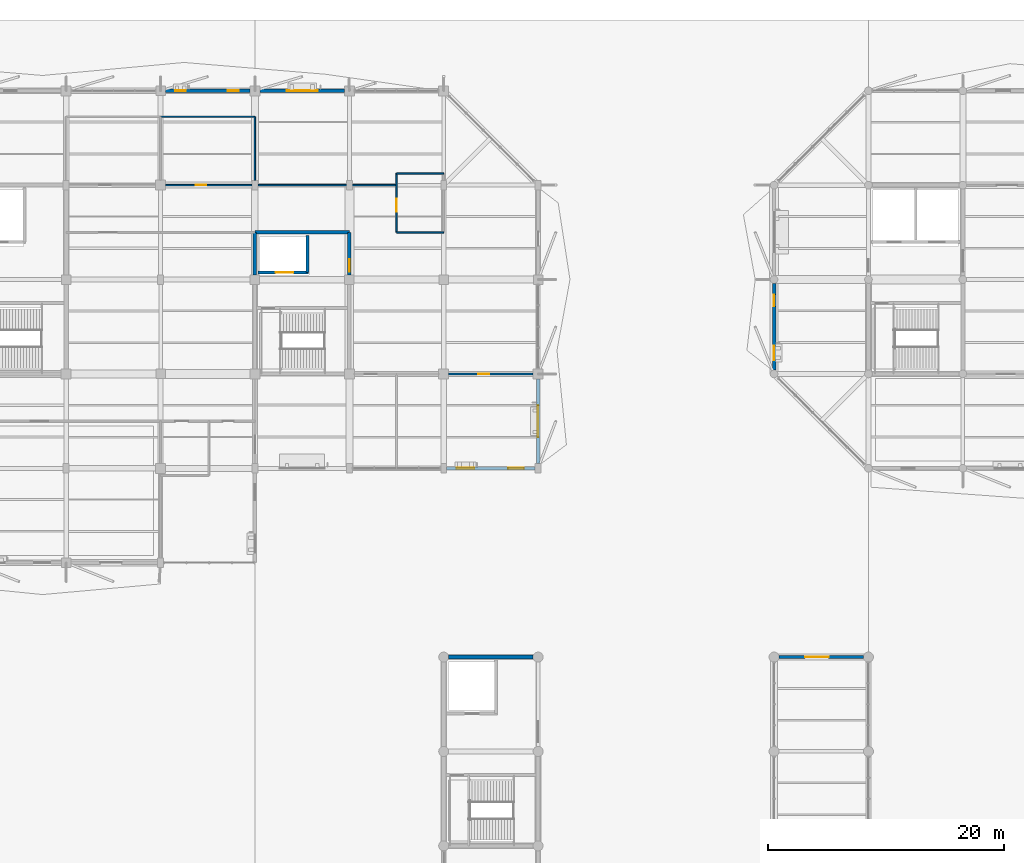
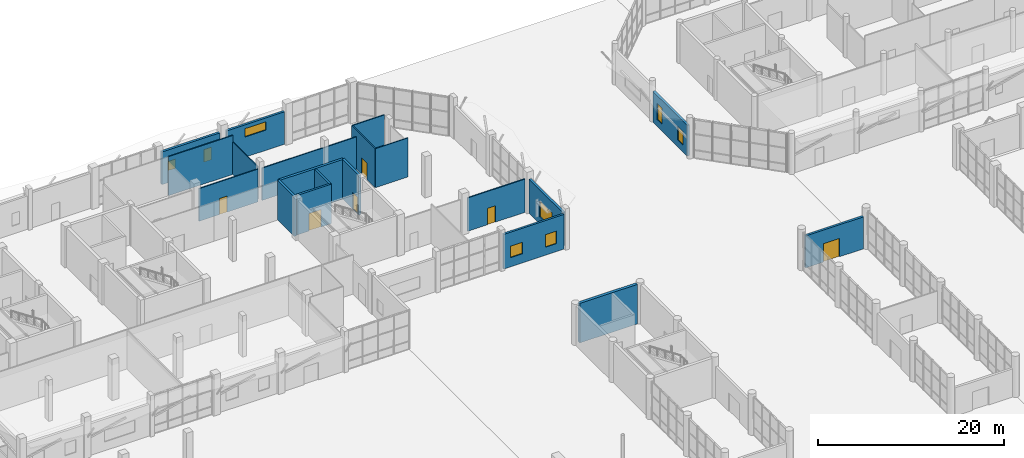
# One storey, part 101 of 123: 20 walls, 8 windows, 6 doors, 14 openings.
"""IFC4 building model written with IfcOpenShell, lengths in metres."""

from ifc_helpers import new_model, si_unit, direction, frame, frame_2d, origin, place, context, subcontext, project, spatial, rectangle, extrude, material, layer, layer_set, type_object, element, fill, save


model = new_model("IFC4")

# Units and contexts
model_context = context("Model", 3, precision=1e-05, world=origin(), true_north=direction((0.0, 1.0)))
body_context = subcontext(model_context, "Body", "Model", "MODEL_VIEW")
ifc_project = project(units=[si_unit("LENGTHUNIT", "METRE"), si_unit("AREAUNIT", "SQUARE_METRE"), si_unit("VOLUMEUNIT", "CUBIC_METRE"), si_unit("PLANEANGLEUNIT", "RADIAN"), si_unit("MASSUNIT", "GRAM", prefix="KILO")], contexts=[model_context])

# Site, building, storey
site_placement = place(None, origin())
site = spatial("IfcSite", under=ifc_project, at=site_placement, CompositionType="ELEMENT")
building_placement = place(site_placement, origin())
building = spatial("IfcBuilding", under=site, at=building_placement, Name="Tenunan Teduh Sports Hall", CompositionType="ELEMENT")
storey_placement = place(building_placement, origin())
storey = spatial("IfcBuildingStorey", under=building, at=storey_placement, Name="L00", CompositionType="ELEMENT", Elevation=0.0)

# Wall, opening, door
ifc_material_1 = material(Name="Concrete C40/50", Category="concrete")
ifc_layer_1 = layer(ifc_material_1, 0.25)
ifc_layer_set_1 = layer_set([ifc_layer_1], Name="Concrete C40/50")
wall_type_1 = type_object("IfcWallType", Name="WL-COR-250", PredefinedType="SOLIDWALL", material=ifc_layer_set_1)
wall_1_placement = place(storey_placement, frame((54.25, 102.60009765625, 0.0), z_axis=(0.0, 0.0, 1.0), x_axis=(1.0, 0.0, 0.0)))
wall_1 = element("IfcWall", 1, at=wall_1_placement, inside=storey, type_object=wall_type_1, Name="WL-COR-L00-125", PredefinedType="SOLIDWALL", context=body_context, shape_type="SweptSolid", body=[
    extrude(rectangle(XDim=4.300048828125, YDim=0.25, at=frame_2d((2.14990234375, 0.0))), origin(), (0.0, 0.0, 1.0), 5.179931640625),
])
opening_1_placement = place(wall_1_placement, frame((1.5, 0.0, 0.0)))
opening_1 = element("IfcOpeningElement", 2, at=opening_1_placement, cuts=wall_1, Name="Opening LD-3", PredefinedType="OPENING", context=body_context, shape_type="SweptSolid", body=[
    extrude(rectangle(XDim=1.5, YDim=2.300048828125, at=frame_2d((0.75, 1.14990234375))), frame((0.0, 0.135009765625, 0.0), z_axis=(0.0, -1.0, 0.0), x_axis=(1.0, 0.0, 0.0)), (0.0, 0.0, 1.0), 0.27001953125),
])
ifc_material_2 = material(Name="Goods lift stainless landing doors")
door_type_1 = type_object("IfcDoorType", Name="LDR-03", OperationType="DOUBLE_DOOR_SLIDING", PredefinedType="DOOR", material=ifc_material_2)
door_1_placement = place(opening_1_placement, origin())
door_1 = element("IfcDoor", 3, at=door_1_placement, inside=storey, type_object=door_type_1, Name="Lift Landing Door LD-20", OperationType="DOUBLE_DOOR_SLIDING", OverallHeight=2.300048828125, OverallWidth=1.5, PredefinedType="DOOR", context=body_context, shape_type="SweptSolid", body=[
    extrude(rectangle(XDim=1.5, YDim=2.300048828125, at=frame_2d((0.75, 1.14990234375))), frame((0.0, 0.02490234375, 0.0), z_axis=(0.0, -1.0, 0.0), x_axis=(1.0, 0.0, 0.0)), (0.0, 0.0, 1.0), 0.050048828125),
])
fill(opening_1, door_1)

# Wall
wall_2_placement = place(storey_placement, frame((58.449951171875, 102.60009765625, 0.0), z_axis=(0.0, 0.0, 1.0), x_axis=(0.0, 1.0, 0.0)))
element("IfcWall", 4, at=wall_2_placement, inside=storey, type_object=wall_type_1, Name="WL-COR-L00-126", PredefinedType="SOLIDWALL", context=body_context, shape_type="SweptSolid", body=[
    extrude(rectangle(XDim=3.14990234375, YDim=0.25, at=frame_2d((1.574951171875, 0.0))), origin(), (0.0, 0.0, 1.0), 5.179931640625),
])

# Wall, openings, windows
ifc_material_3 = material(Name="Precast concrete C40/50", Category="concrete")
ifc_layer_2 = layer(ifc_material_3, 0.25)
ifc_layer_set_2 = layer_set([ifc_layer_2], Name="Precast concrete C40/50")
wall_type_2 = type_object("IfcWallType", Name="WL-EXT-250", PredefinedType="SOLIDWALL", material=ifc_layer_set_2)
wall_3_placement = place(storey_placement, frame((70.25, 86.0, 0.0), z_axis=(0.0, 0.0, 1.0), x_axis=(1.0, 0.0, 0.0)))
wall_3 = element("IfcWall", 5, at=wall_3_placement, inside=storey, type_object=wall_type_2, Name="WL-EXT-L00-152", PredefinedType="SOLIDWALL", context=body_context, shape_type="SweptSolid", body=[
    extrude(rectangle(XDim=7.5, YDim=0.25, at=frame_2d((3.75, 0.0))), origin(), (0.0, 0.0, 1.0), 4.5400390625),
])
opening_2_placement = place(wall_3_placement, frame((0.85009765625, 0.0, 1.199951171875)))
opening_2 = element("IfcOpeningElement", 6, at=opening_2_placement, cuts=wall_3, Name="Opening W-09", PredefinedType="OPENING", context=body_context, shape_type="SweptSolid", body=[
    extrude(rectangle(XDim=1.5, YDim=1.5, at=frame_2d((0.75, 0.75))), frame((0.0, 0.135009765625, 0.0), z_axis=(0.0, -1.0, 0.0), x_axis=(1.0, 0.0, 0.0)), (0.0, 0.0, 1.0), 0.27001953125),
])
opening_3_placement = place(wall_3_placement, frame((5.199951171875, 0.0, 1.050048828125)))
opening_3 = element("IfcOpeningElement", 7, at=opening_3_placement, cuts=wall_3, Name="Opening W-18", PredefinedType="OPENING", context=body_context, shape_type="SweptSolid", body=[
    extrude(rectangle(XDim=1.35009765625, YDim=1.64990234375, at=frame_2d((0.675048828125, 0.824951171875))), frame((0.0, 0.135009765625, 0.0), z_axis=(0.0, -1.0, 0.0), x_axis=(1.0, 0.0, 0.0)), (0.0, 0.0, 1.0), 0.27001953125),
])
ifc_material_4 = material(Name="Thermally broken aluminium and Low-E glazing", Category="aluminium")
window_type_1 = type_object("IfcWindowType", Name="WIN-09", PartitioningType="DOUBLE_PANEL_VERTICAL", PredefinedType="WINDOW", material=ifc_material_4)
window_1_placement = place(opening_2_placement, origin())
window_1 = element("IfcWindow", 8, at=window_1_placement, inside=storey, type_object=window_type_1, Name="WIN-L00-033", OverallHeight=1.5, OverallWidth=1.5, PartitioningType="SINGLE_PANEL", PredefinedType="WINDOW", context=body_context, shape_type="SweptSolid", body=[
    extrude(rectangle(XDim=1.5, YDim=1.5, at=frame_2d((0.75, 0.75))), frame((0.0, 0.030029296875, 0.0), z_axis=(0.0, -1.0, 0.0), x_axis=(1.0, 0.0, 0.0)), (0.0, 0.0, 1.0), 0.06005859375),
])
fill(opening_2, window_1)
ifc_material_5 = material(Name="Thermally broken aluminium and Low-E glazing", Category="aluminium")
window_type_2 = type_object("IfcWindowType", Name="WIN-18", PartitioningType="DOUBLE_PANEL_VERTICAL", PredefinedType="WINDOW", material=ifc_material_5)
window_2_placement = place(opening_3_placement, origin())
window_2 = element("IfcWindow", 9, at=window_2_placement, inside=storey, type_object=window_type_2, Name="WIN-L00-034", OverallHeight=1.64990234375, OverallWidth=1.35009765625, PartitioningType="SINGLE_PANEL", PredefinedType="WINDOW", context=body_context, shape_type="SweptSolid", body=[
    extrude(rectangle(XDim=1.35009765625, YDim=1.64990234375, at=frame_2d((0.675048828125, 0.824951171875))), frame((0.0, 0.030029296875, 0.0), z_axis=(0.0, -1.0, 0.0), x_axis=(1.0, 0.0, 0.0)), (0.0, 0.0, 1.0), 0.06005859375),
])
fill(opening_3, window_2)

# Wall, opening, door
ifc_material_6 = material(Name="Concrete C40/50", Category="concrete")
ifc_layer_3 = layer(ifc_material_6, 0.280029296875)
ifc_layer_set_3 = layer_set([ifc_layer_3], Name="Concrete C40/50")
wall_type_3 = type_object("IfcWallType", Name="WL-EXT-280", PredefinedType="SOLIDWALL", material=ifc_layer_set_3)
wall_4_placement = place(storey_placement, frame((98.425048828125, 70.0, 0.0), z_axis=(0.0, 0.0, 1.0), x_axis=(1.0, 0.0, 0.0)))
wall_4 = element("IfcWall", 10, at=wall_4_placement, inside=storey, type_object=wall_type_3, Name="WL-EXT-L00-141", PredefinedType="SOLIDWALL", context=body_context, shape_type="SweptSolid", body=[
    extrude(rectangle(XDim=7.14990234375, YDim=0.280029296875, at=frame_2d((3.574951171875, 0.0))), origin(), (0.0, 0.0, 1.0), 4.18994140625),
])
opening_4_placement = place(wall_4_placement, frame((2.199951171875, 0.0, 0.0)))
opening_4 = element("IfcOpeningElement", 11, at=opening_4_placement, cuts=wall_4, Name="Opening ED-01", PredefinedType="OPENING", context=body_context, shape_type="SweptSolid", body=[
    extrude(rectangle(XDim=2.0, YDim=2.39990234375, at=frame_2d((1.0, 1.199951171875))), frame((0.0, 0.14990234375, 0.0), z_axis=(0.0, -1.0, 0.0), x_axis=(1.0, 0.0, 0.0)), (0.0, 0.0, 1.0), 0.300048828125),
])
ifc_material_7 = material(Name="Powder-coated aluminium and laminated safety glass", Category="aluminium")
door_type_2 = type_object("IfcDoorType", Name="EDR-01", OperationType="DOUBLE_DOOR_SINGLE_SWING", PredefinedType="DOOR", material=ifc_material_7)
door_2_placement = place(opening_4_placement, origin())
door_2 = element("IfcDoor", 12, at=door_2_placement, inside=storey, type_object=door_type_2, Name="DR-EXT-L00-030", OperationType="DOUBLE_DOOR_SINGLE_SWING", OverallHeight=2.39990234375, OverallWidth=2.0, PredefinedType="DOOR", context=body_context, shape_type="SweptSolid", body=[
    extrude(rectangle(XDim=2.0, YDim=2.39990234375, at=frame_2d((1.0, 1.199951171875))), frame((0.0, 0.02490234375, 0.0), z_axis=(0.0, -1.0, 0.0), x_axis=(1.0, 0.0, 0.0)), (0.0, 0.0, 1.0), 0.050048828125),
])
fill(opening_4, door_2)

# Wall, opening, window
wall_5_placement = place(storey_placement, frame((78.0, 86.39990234375, 0.0), z_axis=(0.0, 0.0, 1.0), x_axis=(0.0, 1.0, 0.0)))
wall_5 = element("IfcWall", 13, at=wall_5_placement, inside=storey, type_object=wall_type_3, Name="WL-EXT-L00-153", PredefinedType="SOLIDWALL", context=body_context, shape_type="SweptSolid", body=[
    extrude(rectangle(XDim=7.175048828125, YDim=0.280029296875, at=frame_2d((3.58740234375, 0.0))), origin(), (0.0, 0.0, 1.0), 4.43994140625),
])
opening_5_placement = place(wall_5_placement, frame((2.239990234375, 0.0, 0.89990234375)))
opening_5 = element("IfcOpeningElement", 14, at=opening_5_placement, cuts=wall_5, Name="Opening W-11", PredefinedType="OPENING", context=body_context, shape_type="SweptSolid", body=[
    extrude(rectangle(XDim=2.699951171875, YDim=2.10009765625, at=frame_2d((1.35009765625, 1.050048828125))), frame((0.0, 0.14990234375, 0.0), z_axis=(0.0, -1.0, 0.0), x_axis=(1.0, 0.0, 0.0)), (0.0, 0.0, 1.0), 0.300048828125),
])
ifc_material_8 = material(Name="Thermally broken aluminium and Low-E glazing", Category="aluminium")
window_type_3 = type_object("IfcWindowType", Name="WIN-11", PartitioningType="TRIPLE_PANEL_VERTICAL", PredefinedType="WINDOW", material=ifc_material_8)
window_3_placement = place(opening_5_placement, origin())
window_3 = element("IfcWindow", 15, at=window_3_placement, inside=storey, type_object=window_type_3, Name="WIN-L00-035", OverallHeight=2.10009765625, OverallWidth=2.699951171875, PartitioningType="SINGLE_PANEL", PredefinedType="WINDOW", context=body_context, shape_type="SweptSolid", body=[
    extrude(rectangle(XDim=2.699951171875, YDim=2.10009765625, at=frame_2d((1.35009765625, 1.050048828125))), frame((0.0, 0.030029296875, 0.0), z_axis=(0.0, -1.0, 0.0), x_axis=(1.0, 0.0, 0.0)), (0.0, 0.0, 1.0), 0.06005859375),
])
fill(opening_5, window_3)

wall_6_placement = place(storey_placement, frame((54.425048828125, 118.0, 0.0), z_axis=(0.0, 0.0, 1.0), x_axis=(1.0, 0.0, 0.0)))
wall_6 = element("IfcWall", 16, at=wall_6_placement, inside=storey, type_object=wall_type_3, Name="WL-EXT-L00-158", PredefinedType="SOLIDWALL", context=body_context, shape_type="SweptSolid", body=[
    extrude(rectangle(XDim=7.14990234375, YDim=0.280029296875, at=frame_2d((3.574951171875, 0.0))), origin(), (0.0, 0.0, 1.0), 4.239990234375),
])
opening_6_placement = place(wall_6_placement, frame((2.280029296875, 0.0, 2.64990234375)))
opening_6 = element("IfcOpeningElement", 17, at=opening_6_placement, cuts=wall_6, Name="Opening W-16", PredefinedType="OPENING", context=body_context, shape_type="SweptSolid", body=[
    extrude(rectangle(XDim=2.60009765625, YDim=1.10009765625, at=frame_2d((1.300048828125, 0.550048828125))), frame((0.0, 0.14990234375, 0.0), z_axis=(0.0, -1.0, 0.0), x_axis=(1.0, 0.0, 0.0)), (0.0, 0.0, 1.0), 0.300048828125),
])
ifc_material_9 = material(Name="Thermally broken aluminium and Low-E glazing", Category="aluminium")
window_type_4 = type_object("IfcWindowType", Name="WIN-16", PartitioningType="DOUBLE_PANEL_HORIZONTAL", PredefinedType="WINDOW", material=ifc_material_9)
window_4_placement = place(opening_6_placement, origin())
window_4 = element("IfcWindow", 18, at=window_4_placement, inside=storey, type_object=window_type_4, Name="WIN-L00-040", OverallHeight=1.10009765625, OverallWidth=2.60009765625, PartitioningType="SINGLE_PANEL", PredefinedType="WINDOW", context=body_context, shape_type="SweptSolid", body=[
    extrude(rectangle(XDim=2.60009765625, YDim=1.10009765625, at=frame_2d((1.300048828125, 0.550048828125))), frame((0.0, 0.030029296875, 0.0), z_axis=(0.0, -1.0, 0.0), x_axis=(1.0, 0.0, 0.0)), (0.0, 0.0, 1.0), 0.06005859375),
])
fill(opening_6, window_4)

# Wall, openings, windows
ifc_material_10 = material(Name="Concrete C40/50", Category="concrete")
ifc_layer_4 = layer(ifc_material_10, 0.2900390625)
ifc_layer_set_4 = layer_set([ifc_layer_4], Name="Concrete C40/50")
wall_type_4 = type_object("IfcWallType", Name="WL-EXT-290", PredefinedType="SOLIDWALL", material=ifc_layer_set_4)
wall_7_placement = place(storey_placement, frame((46.39990234375, 118.0, 0.0), z_axis=(0.0, 0.0, 1.0), x_axis=(1.0, 0.0, 0.0)))
wall_7 = element("IfcWall", 19, at=wall_7_placement, inside=storey, type_object=wall_type_4, Name="WL-EXT-L00-157", PredefinedType="SOLIDWALL", context=body_context, shape_type="SweptSolid", body=[
    extrude(rectangle(XDim=7.175048828125, YDim=0.2900390625, at=frame_2d((3.58740234375, 0.0))), origin(), (0.0, 0.0, 1.0), 4.2900390625),
])
opening_7_placement = place(wall_7_placement, frame((0.85009765625, 0.0, 1.5)))
opening_7 = element("IfcOpeningElement", 20, at=opening_7_placement, cuts=wall_7, Name="Opening W-08", PredefinedType="OPENING", context=body_context, shape_type="SweptSolid", body=[
    extrude(rectangle(XDim=0.89990234375, YDim=1.199951171875, at=frame_2d((0.449951171875, 0.60009765625))), frame((0.0, 0.155029296875, 0.0), z_axis=(0.0, -1.0, 0.0), x_axis=(1.0, 0.0, 0.0)), (0.0, 0.0, 1.0), 0.31005859375),
])
opening_8_placement = place(wall_7_placement, frame((5.280029296875, 0.0, 1.050048828125)))
opening_8 = element("IfcOpeningElement", 21, at=opening_8_placement, cuts=wall_7, Name="Opening W-17", PredefinedType="OPENING", context=body_context, shape_type="SweptSolid", body=[
    extrude(rectangle(XDim=0.949951171875, YDim=1.64990234375, at=frame_2d((0.47509765625, 0.824951171875))), frame((0.0, 0.155029296875, 0.0), z_axis=(0.0, -1.0, 0.0), x_axis=(1.0, 0.0, 0.0)), (0.0, 0.0, 1.0), 0.31005859375),
])
ifc_material_11 = material(Name="Thermally broken aluminium and Low-E glazing", Category="aluminium")
window_type_5 = type_object("IfcWindowType", Name="WIN-08", PartitioningType="SINGLE_PANEL", PredefinedType="WINDOW", material=ifc_material_11)
window_5_placement = place(opening_7_placement, origin())
window_5 = element("IfcWindow", 22, at=window_5_placement, inside=storey, type_object=window_type_5, Name="WIN-L00-038", OverallHeight=1.199951171875, OverallWidth=0.89990234375, PartitioningType="SINGLE_PANEL", PredefinedType="WINDOW", context=body_context, shape_type="SweptSolid", body=[
    extrude(rectangle(XDim=0.89990234375, YDim=1.199951171875, at=frame_2d((0.449951171875, 0.60009765625))), frame((0.0, 0.030029296875, 0.0), z_axis=(0.0, -1.0, 0.0), x_axis=(1.0, 0.0, 0.0)), (0.0, 0.0, 1.0), 0.06005859375),
])
fill(opening_7, window_5)
ifc_material_12 = material(Name="Thermally broken aluminium and Low-E glazing", Category="aluminium")
window_type_6 = type_object("IfcWindowType", Name="WIN-17", PartitioningType="SINGLE_PANEL", PredefinedType="WINDOW", material=ifc_material_12)
window_6_placement = place(opening_8_placement, origin())
window_6 = element("IfcWindow", 23, at=window_6_placement, inside=storey, type_object=window_type_6, Name="WIN-L00-039", OverallHeight=1.64990234375, OverallWidth=0.949951171875, PartitioningType="SINGLE_PANEL", PredefinedType="WINDOW", context=body_context, shape_type="SweptSolid", body=[
    extrude(rectangle(XDim=0.949951171875, YDim=1.64990234375, at=frame_2d((0.47509765625, 0.824951171875))), frame((0.0, 0.030029296875, 0.0), z_axis=(0.0, -1.0, 0.0), x_axis=(1.0, 0.0, 0.0)), (0.0, 0.0, 1.0), 0.06005859375),
])
fill(opening_8, window_6)

wall_8_placement = place(storey_placement, frame((98.0, 94.324951171875, 0.0), z_axis=(0.0, 0.0, 1.0), x_axis=(0.0, 1.0, 0.0)))
wall_8 = element("IfcWall", 24, at=wall_8_placement, inside=storey, type_object=wall_type_4, Name="WL-EXT-L00-226", PredefinedType="SOLIDWALL", context=body_context, shape_type="SweptSolid", body=[
    extrude(rectangle(XDim=7.35009765625, YDim=0.2900390625, at=frame_2d((3.675048828125, 0.0))), origin(), (0.0, 0.0, 1.0), 4.0400390625),
])
opening_9_placement = place(wall_8_placement, frame((0.85009765625, 0.0, 0.89990234375)))
opening_9 = element("IfcOpeningElement", 25, at=opening_9_placement, cuts=wall_8, Name="Opening W-01", PredefinedType="OPENING", context=body_context, shape_type="SweptSolid", body=[
    extrude(rectangle(XDim=1.199951171875, YDim=1.800048828125, at=frame_2d((0.60009765625, 0.89990234375))), frame((0.0, 0.155029296875, 0.0), z_axis=(0.0, -1.0, 0.0), x_axis=(1.0, 0.0, 0.0)), (0.0, 0.0, 1.0), 0.31005859375),
])
opening_10_placement = place(wall_8_placement, frame((5.39990234375, 0.0, 0.89990234375)))
opening_10 = element("IfcOpeningElement", 26, at=opening_10_placement, cuts=wall_8, Name="Opening W-13", PredefinedType="OPENING", context=body_context, shape_type="SweptSolid", body=[
    extrude(rectangle(XDim=1.0, YDim=2.10009765625, at=frame_2d((0.5, 1.050048828125))), frame((0.0, 0.155029296875, 0.0), z_axis=(0.0, -1.0, 0.0), x_axis=(1.0, 0.0, 0.0)), (0.0, 0.0, 1.0), 0.31005859375),
])
ifc_material_13 = material(Name="Thermally broken aluminium and Low-E glazing", Category="aluminium")
window_type_7 = type_object("IfcWindowType", Name="WIN-01", PartitioningType="SINGLE_PANEL", PredefinedType="WINDOW", material=ifc_material_13)
window_7_placement = place(opening_9_placement, origin())
window_7 = element("IfcWindow", 27, at=window_7_placement, inside=storey, type_object=window_type_7, Name="WIN-L00-130", OverallHeight=1.800048828125, OverallWidth=1.199951171875, PartitioningType="SINGLE_PANEL", PredefinedType="WINDOW", context=body_context, shape_type="SweptSolid", body=[
    extrude(rectangle(XDim=1.199951171875, YDim=1.800048828125, at=frame_2d((0.60009765625, 0.89990234375))), frame((0.0, 0.030029296875, 0.0), z_axis=(0.0, -1.0, 0.0), x_axis=(1.0, 0.0, 0.0)), (0.0, 0.0, 1.0), 0.06005859375),
])
fill(opening_9, window_7)
ifc_material_14 = material(Name="Thermally broken aluminium and Low-E glazing", Category="aluminium")
window_type_8 = type_object("IfcWindowType", Name="WIN-13", PartitioningType="SINGLE_PANEL", PredefinedType="WINDOW", material=ifc_material_14)
window_8_placement = place(opening_10_placement, origin())
window_8 = element("IfcWindow", 28, at=window_8_placement, inside=storey, type_object=window_type_8, Name="WIN-L00-131", OverallHeight=2.10009765625, OverallWidth=1.0, PartitioningType="SINGLE_PANEL", PredefinedType="WINDOW", context=body_context, shape_type="SweptSolid", body=[
    extrude(rectangle(XDim=1.0, YDim=2.10009765625, at=frame_2d((0.5, 1.050048828125))), frame((0.0, 0.030029296875, 0.0), z_axis=(0.0, -1.0, 0.0), x_axis=(1.0, 0.0, 0.0)), (0.0, 0.0, 1.0), 0.06005859375),
])
fill(opening_10, window_8)

# Wall, opening, door
ifc_material_15 = material(Name="Moisture-resistant masonry", Category="masonry")
ifc_layer_5 = layer(ifc_material_15, 0.125)
ifc_layer_set_5 = layer_set([ifc_layer_5], Name="Moisture-resistant masonry")
wall_type_5 = type_object("IfcWallType", Name="WL-PRT-125", PredefinedType="PARTITIONING", material=ifc_layer_set_5)
wall_9_placement = place(storey_placement, frame((46.425048828125, 110.0, 0.0), z_axis=(0.0, 0.0, 1.0), x_axis=(1.0, 0.0, 0.0)))
wall_9 = element("IfcWall", 29, at=wall_9_placement, inside=storey, type_object=wall_type_5, Name="WL-PRT-L00-321", PredefinedType="PARTITIONING", context=body_context, shape_type="SweptSolid", body=[
    extrude(rectangle(XDim=7.324951171875, YDim=0.125, at=frame_2d((3.66259765625, 0.0))), origin(), (0.0, 0.0, 1.0), 4.2900390625),
])
opening_11_placement = place(wall_9_placement, frame((2.56005859375, 0.0, 0.0)))
opening_11 = element("IfcOpeningElement", 30, at=opening_11_placement, cuts=wall_9, Name="Opening ID-02", PredefinedType="OPENING", context=body_context, shape_type="SweptSolid", body=[
    extrude(rectangle(XDim=0.89990234375, YDim=2.10009765625, at=frame_2d((0.449951171875, 1.050048828125))), frame((0.0, 0.072509765625, 0.0), z_axis=(0.0, -1.0, 0.0), x_axis=(1.0, 0.0, 0.0)), (0.0, 0.0, 1.0), 0.14501953125),
])
ifc_material_16 = material(Name="Moisture-resistant HPL leaf")
door_type_3 = type_object("IfcDoorType", Name="IDR-02", OperationType="SINGLE_SWING_RIGHT", PredefinedType="DOOR", material=ifc_material_16)
door_3_placement = place(opening_11_placement, frame((0.89990234375, 0.0, 0.0), z_axis=(0.0, 0.0, 1.0), x_axis=(-1.0, 0.0, 0.0)))
door_3 = element("IfcDoor", 31, at=door_3_placement, inside=storey, type_object=door_type_3, Name="DR-INT-L00-125", OperationType="SINGLE_SWING_LEFT", OverallHeight=2.10009765625, OverallWidth=0.89990234375, PredefinedType="DOOR", context=body_context, shape_type="SweptSolid", body=[
    extrude(rectangle(XDim=0.89990234375, YDim=2.10009765625, at=frame_2d((0.449951171875, 1.050048828125))), frame((0.0, 0.02490234375, 0.0), z_axis=(0.0, -1.0, 0.0), x_axis=(1.0, 0.0, 0.0)), (0.0, 0.0, 1.0), 0.050048828125),
])
fill(opening_11, door_3)

# Walls
wall_10_placement = place(storey_placement, frame((54.25, 110.0, 0.0), z_axis=(0.0, 0.0, 1.0), x_axis=(1.0, 0.0, 0.0)))
element("IfcWall", 32, at=wall_10_placement, inside=storey, type_object=wall_type_5, Name="WL-PRT-L00-322", PredefinedType="PARTITIONING", context=body_context, shape_type="SweptSolid", body=[
    extrude(rectangle(XDim=11.75, YDim=0.125, at=frame_2d((5.875, 0.0))), origin(), (0.0, 0.0, 1.0), 4.239990234375),
])
wall_11_placement = place(storey_placement, frame((46.0, 115.800048828125, 0.0), z_axis=(0.0, 0.0, 1.0), x_axis=(1.0, 0.0, 0.0)))
element("IfcWall", 33, at=wall_11_placement, inside=storey, type_object=wall_type_5, Name="WL-PRT-L00-324", PredefinedType="PARTITIONING", context=body_context, shape_type="SweptSolid", body=[
    extrude(rectangle(XDim=8.0, YDim=0.125, at=frame_2d((4.0, 0.0))), origin(), (0.0, 0.0, 1.0), 5.10009765625),
])
wall_12_placement = place(storey_placement, frame((54.0, 110.39990234375, 0.0), z_axis=(0.0, 0.0, 1.0), x_axis=(0.0, 1.0, 0.0)))
element("IfcWall", 34, at=wall_12_placement, inside=storey, type_object=wall_type_5, Name="WL-PRT-L00-327", PredefinedType="PARTITIONING", context=body_context, shape_type="SweptSolid", body=[
    extrude(rectangle(XDim=5.400146484375, YDim=0.125, at=frame_2d((2.7001953125, 0.0))), origin(), (0.0, 0.0, 1.0), 4.239990234375),
])

# Wall, opening, door
wall_13_placement = place(storey_placement, frame((66.0, 106.0, 0.0), z_axis=(0.0, 0.0, 1.0), x_axis=(0.0, 1.0, 0.0)))
wall_13 = element("IfcWall", 35, at=wall_13_placement, inside=storey, type_object=wall_type_5, Name="WL-PRT-L00-328", PredefinedType="PARTITIONING", context=body_context, shape_type="SweptSolid", body=[
    extrude(rectangle(XDim=5.0, YDim=0.125, at=frame_2d((2.5, 0.0))), origin(), (0.0, 0.0, 1.0), 5.10009765625),
])
opening_12_placement = place(wall_13_placement, frame((1.75, 0.0, 0.0)))
opening_12 = element("IfcOpeningElement", 36, at=opening_12_placement, cuts=wall_13, Name="Opening ID-06", PredefinedType="OPENING", context=body_context, shape_type="SweptSolid", body=[
    extrude(rectangle(XDim=1.10009765625, YDim=2.14990234375, at=frame_2d((0.550048828125, 1.074951171875))), frame((0.0, 0.072509765625, 0.0), z_axis=(0.0, -1.0, 0.0), x_axis=(1.0, 0.0, 0.0)), (0.0, 0.0, 1.0), 0.14501953125),
])
ifc_material_17 = material(Name="Accessible pocket sliding leaf")
door_type_4 = type_object("IfcDoorType", Name="IDR-06", OperationType="SLIDING_TO_RIGHT", PredefinedType="DOOR", material=ifc_material_17)
door_4_placement = place(opening_12_placement, frame((1.10009765625, 0.0, 0.0), z_axis=(0.0, 0.0, 1.0), x_axis=(-1.0, 0.0, 0.0)))
door_4 = element("IfcDoor", 37, at=door_4_placement, inside=storey, type_object=door_type_4, Name="DR-INT-L00-126", OperationType="SLIDING_TO_RIGHT", OverallHeight=2.14990234375, OverallWidth=1.10009765625, PredefinedType="DOOR", context=body_context, shape_type="SweptSolid", body=[
    extrude(rectangle(XDim=1.10009765625, YDim=2.14990234375, at=frame_2d((0.550048828125, 1.074951171875))), frame((0.0, 0.02490234375, 0.0), z_axis=(0.0, -1.0, 0.0), x_axis=(1.0, 0.0, 0.0)), (0.0, 0.0, 1.0), 0.050048828125),
])
fill(opening_12, door_4)

# Walls
for number, where, z_axis, x_axis, name in (
    (38, (66.0, 111.0, 0.0), (0.0, 0.0, 1.0), (1.0, 0.0, 0.0), "WL-PRT-L00-330"),
    (39, (66.0, 106.0, 0.0), (0.0, 0.0, 1.0), (1.0, 0.0, 0.0), "WL-PRT-L00-331"),
):
    element("IfcWall", number, at=place(storey_placement, frame(where, z_axis=z_axis, x_axis=x_axis)), inside=storey, type_object=wall_type_5, Name=name, PredefinedType="PARTITIONING", context=body_context, shape_type="SweptSolid", body=[
        extrude(rectangle(XDim=4.0, YDim=0.125, at=frame_2d((2.0, 0.0))), origin(), (0.0, 0.0, 1.0), 5.10009765625),
    ])

# Wall, opening, door
ifc_material_18 = material(Name="Acoustic stud and double plasterboard")
ifc_layer_6 = layer(ifc_material_18, 0.14990234375)
ifc_layer_set_6 = layer_set([ifc_layer_6], Name="Acoustic stud and double plasterboard")
wall_type_6 = type_object("IfcWallType", Name="WL-PRT-150", PredefinedType="PARTITIONING", material=ifc_layer_set_6)
wall_14_placement = place(storey_placement, frame((70.425048828125, 94.0, 0.0), z_axis=(0.0, 0.0, 1.0), x_axis=(1.0, 0.0, 0.0)))
wall_14 = element("IfcWall", 40, at=wall_14_placement, inside=storey, type_object=wall_type_6, Name="WL-PRT-L00-316", PredefinedType="PARTITIONING", context=body_context, shape_type="SweptSolid", body=[
    extrude(rectangle(XDim=7.14990234375, YDim=0.14990234375, at=frame_2d((3.574951171875, 0.0))), origin(), (0.0, 0.0, 1.0), 4.360107421875),
])
opening_13_placement = place(wall_14_placement, frame((2.5, 0.0, 0.0)))
opening_13 = element("IfcOpeningElement", 41, at=opening_13_placement, cuts=wall_14, Name="Opening FD-05", PredefinedType="OPENING", context=body_context, shape_type="SweptSolid", body=[
    extrude(rectangle(XDim=0.949951171875, YDim=2.14990234375, at=frame_2d((0.47509765625, 1.074951171875))), frame((0.0, 0.0849609375, 0.0), z_axis=(0.0, -1.0, 0.0), x_axis=(1.0, 0.0, 0.0)), (0.0, 0.0, 1.0), 0.169921875),
])
ifc_material_19 = material(Name="Fire-rated timber leaf", Category="wood")
door_type_5 = type_object("IfcDoorType", Name="FDR-05", OperationType="SINGLE_SWING_LEFT", PredefinedType="DOOR", material=ifc_material_19)
door_5_placement = place(opening_13_placement, origin())
door_5 = element("IfcDoor", 42, at=door_5_placement, inside=storey, type_object=door_type_5, Name="DR-INT-L00-122", OperationType="SINGLE_SWING_LEFT", OverallHeight=2.14990234375, OverallWidth=0.949951171875, PredefinedType="DOOR", context=body_context, shape_type="SweptSolid", body=[
    extrude(rectangle(XDim=0.949951171875, YDim=2.14990234375, at=frame_2d((0.47509765625, 1.074951171875))), frame((0.0, 0.02490234375, 0.0), z_axis=(0.0, -1.0, 0.0), x_axis=(1.0, 0.0, 0.0)), (0.0, 0.0, 1.0), 0.050048828125),
])
fill(opening_13, door_5)

# Walls
ifc_material_20 = material(Name="Concrete C40/50", Category="concrete")
ifc_layer_7 = layer(ifc_material_20, 0.300048828125)
ifc_layer_set_7 = layer_set([ifc_layer_7], Name="Concrete C40/50")
wall_type_7 = type_object("IfcWallType", Name="WL-SHR-300", PredefinedType="SHEAR", material=ifc_layer_set_7)
wall_15_placement = place(storey_placement, frame((54.0, 106.0, 0.0), z_axis=(0.0, 0.0, 1.0), x_axis=(1.0, 0.0, 0.0)))
element("IfcWall", 43, at=wall_15_placement, inside=storey, type_object=wall_type_7, Name="WL-COR-L00-119", PredefinedType="SHEAR", context=body_context, shape_type="SweptSolid", body=[
    extrude(rectangle(XDim=8.0, YDim=0.300048828125, at=frame_2d((4.0, 0.0))), origin(), (0.0, 0.0, 1.0), 5.179931640625),
])
wall_16_placement = place(storey_placement, frame((54.0, 102.39990234375, 0.0), z_axis=(0.0, 0.0, 1.0), x_axis=(0.0, 1.0, 0.0)))
element("IfcWall", 44, at=wall_16_placement, inside=storey, type_object=wall_type_7, Name="WL-COR-L00-121", PredefinedType="SHEAR", context=body_context, shape_type="SweptSolid", body=[
    extrude(rectangle(XDim=3.60009765625, YDim=0.300048828125, at=frame_2d((1.800048828125, 0.0))), origin(), (0.0, 0.0, 1.0), 5.179931640625),
])

# Wall, opening, door
wall_17_placement = place(storey_placement, frame((62.0, 102.39990234375, 0.0), z_axis=(0.0, 0.0, 1.0), x_axis=(0.0, 1.0, 0.0)))
wall_17 = element("IfcWall", 45, at=wall_17_placement, inside=storey, type_object=wall_type_7, Name="WL-COR-L00-123", PredefinedType="SHEAR", context=body_context, shape_type="SweptSolid", body=[
    extrude(rectangle(XDim=3.60009765625, YDim=0.300048828125, at=frame_2d((1.800048828125, 0.0))), origin(), (0.0, 0.0, 1.0), 5.179931640625),
])
opening_14_placement = place(wall_17_placement, frame((0.25, 0.0, 0.0)))
opening_14 = element("IfcOpeningElement", 46, at=opening_14_placement, cuts=wall_17, Name="Opening FD-02", PredefinedType="OPENING", context=body_context, shape_type="SweptSolid", body=[
    extrude(rectangle(XDim=1.050048828125, YDim=2.199951171875, at=frame_2d((0.52490234375, 1.10009765625))), frame((0.0, 0.159912109375, 0.0), z_axis=(0.0, -1.0, 0.0), x_axis=(1.0, 0.0, 0.0)), (0.0, 0.0, 1.0), 0.320068359375),
])
ifc_material_21 = material(Name="Fire-rated steel leaf and frame", Category="steel")
door_type_6 = type_object("IfcDoorType", Name="FDR-02", OperationType="SINGLE_SWING_RIGHT", PredefinedType="DOOR", material=ifc_material_21)
door_6_placement = place(opening_14_placement, frame((1.050048828125, 0.0, 0.0), z_axis=(0.0, 0.0, 1.0), x_axis=(-1.0, 0.0, 0.0)))
door_6 = element("IfcDoor", 47, at=door_6_placement, inside=storey, type_object=door_type_6, Name="DR-INT-L00-047", OperationType="SINGLE_SWING_LEFT", OverallHeight=2.199951171875, OverallWidth=1.050048828125, PredefinedType="DOOR", context=body_context, shape_type="SweptSolid", body=[
    extrude(rectangle(XDim=1.050048828125, YDim=2.199951171875, at=frame_2d((0.52490234375, 1.10009765625))), frame((0.0, 0.02490234375, 0.0), z_axis=(0.0, -1.0, 0.0), x_axis=(1.0, 0.0, 0.0)), (0.0, 0.0, 1.0), 0.050048828125),
])
fill(opening_14, door_6)

# Wall
ifc_material_22 = material(Name="Concrete C40/50", Category="concrete")
ifc_layer_8 = layer(ifc_material_22, 0.35009765625)
ifc_layer_set_8 = layer_set([ifc_layer_8], Name="Concrete C40/50")
wall_type_8 = type_object("IfcWallType", Name="WL-SHR-350", PredefinedType="SHEAR", material=ifc_layer_set_8)
wall_18_placement = place(storey_placement, frame((70.425048828125, 70.0, 0.0), z_axis=(0.0, 0.0, 1.0), x_axis=(1.0, 0.0, 0.0)))
element("IfcWall", 48, at=wall_18_placement, inside=storey, type_object=wall_type_8, Name="WL-COR-L00-228", PredefinedType="SHEAR", context=body_context, shape_type="SweptSolid", body=[
    extrude(rectangle(XDim=7.14990234375, YDim=0.35009765625, at=frame_2d((3.574951171875, 0.0))), origin(), (0.0, 0.0, 1.0), 5.179931640625),
])

save(model, "model.ifc")
